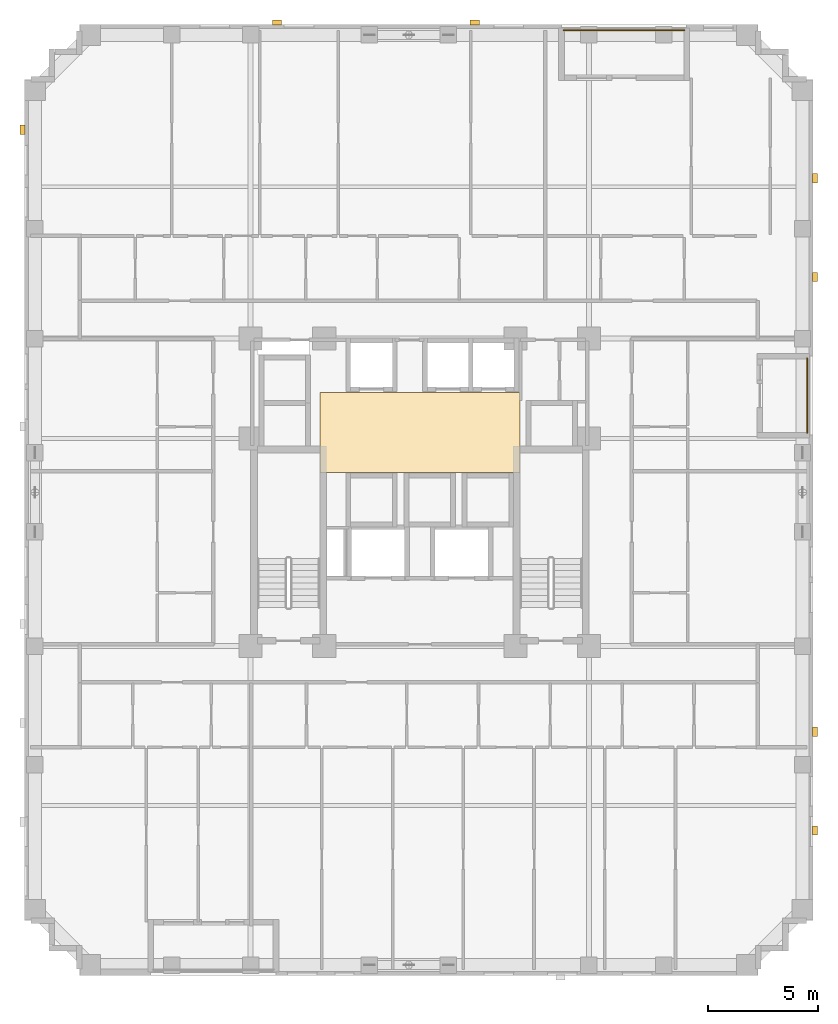
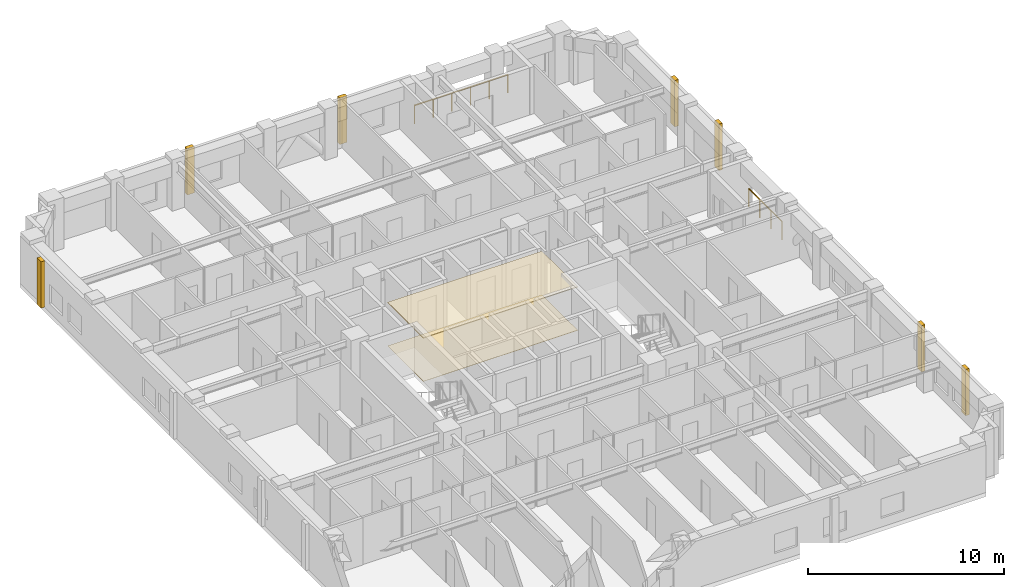
# One storey, part 12 of 12: 9 coverings, 2 railings.
"""IFC4 building model written with IfcOpenShell, lengths in metres."""

from ifc_helpers import new_model, si_unit, derived_unit, direction, frame, origin, origin_2d, place, context, subcontext, project, spatial, polyline, rectangle, circle, outline, extrude, material, layer, layer_set, type_object, element, save


model = new_model("IFC4")

# Units and contexts
model_context = context("Model", 3, precision=1e-05, world=origin(), true_north=direction((0.0, 1.0)))
body_context = subcontext(model_context, "Body", "Model", "MODEL_VIEW")
ifc_project = project(units=[si_unit("LENGTHUNIT", "METRE"), si_unit("AREAUNIT", "SQUARE_METRE"), si_unit("VOLUMEUNIT", "CUBIC_METRE"), si_unit("PLANEANGLEUNIT", "RADIAN"), si_unit("MASSUNIT", "GRAM", prefix="KILO"), derived_unit("THERMALTRANSMITTANCEUNIT", [(si_unit("MASSUNIT", "GRAM", prefix="KILO"), 1), (si_unit("TIMEUNIT", "SECOND"), -3), (si_unit("THERMODYNAMICTEMPERATUREUNIT", "KELVIN"), -1)])], contexts=[model_context])

# Site, building, storey
site_placement = place(None, origin())
site = spatial("IfcSite", under=ifc_project, at=site_placement, CompositionType="ELEMENT")
building_placement = place(site_placement, origin())
building = spatial("IfcBuilding", under=site, at=building_placement, Name="Korrvale Station Residences", CompositionType="ELEMENT")
storey_placement = place(building_placement, frame((0.0, 0.0, 113.5)))
storey = spatial("IfcBuildingStorey", under=building, at=storey_placement, Name="L32", CompositionType="ELEMENT", Elevation=113.5)

# Coverings
ifc_material_1 = material(Name="Perforated acoustic mineral-fibre suspended ceiling", Category="gypsum")
ifc_layer_1 = layer(ifc_material_1, 0.050048828125, Name="Perforated acoustic mineral-fibre suspended ceiling")
ifc_layer_set_1 = layer_set([ifc_layer_1], Name="Perforated acoustic mineral-fibre suspended ceiling")
covering_type_1 = type_object("IfcCoveringType", Name="COV-CLG-AC60", PredefinedType="CEILING", material=ifc_layer_set_1)
covering_1_placement = place(storey_placement, frame((0.0, 0.0, 2.68994140625)))
element("IfcCovering", 1, at=covering_1_placement, inside=storey, type_object=covering_type_1, Name="L32 Elevator Lobby Acoustic Ceiling", PredefinedType="CEILING", context=body_context, shape_type="SweptSolid", body=[
    extrude(outline(polyline([(20.949951171875, 22.89990234375), (30.050048828125, 22.89990234375), (30.050048828125, 26.550048828125), (20.949951171875, 26.550048828125), (20.949951171875, 22.89990234375)])), origin(), (0.0, 0.0, 1.0), 0.050048828125),
])
ifc_material_2 = material(Name="Polished quartz-terrazzo lobby flooring", Category="masonry")
ifc_layer_2 = layer(ifc_material_2, 0.02001953125, Name="Polished quartz-terrazzo lobby flooring")
ifc_layer_set_2 = layer_set([ifc_layer_2], Name="Polished quartz-terrazzo lobby flooring")
covering_type_2 = type_object("IfcCoveringType", Name="COV-FLR-TER20", PredefinedType="FLOORING", material=ifc_layer_set_2)
covering_2_placement = place(storey_placement, origin())
element("IfcCovering", 2, at=covering_2_placement, inside=storey, type_object=covering_type_2, Name="L32 Elevator Lobby Terrazzo Flooring", PredefinedType="FLOORING", context=body_context, shape_type="SweptSolid", body=[
    extrude(outline(polyline([(20.949951171875, 22.89990234375), (30.050048828125, 22.89990234375), (30.050048828125, 26.550048828125), (20.949951171875, 26.550048828125), (20.949951171875, 22.89990234375)])), origin(), (0.0, 0.0, 1.0), 0.02001953125),
])
ifc_material_3 = material(Name="Architectural precast concrete C45/55", Category="concrete")
ifc_layer_3 = layer(ifc_material_3, 0.219970703125, Name="Architectural precast concrete C45/55")
ifc_layer_set_3 = layer_set([ifc_layer_3], Name="Architectural precast concrete C45/55")
covering_type_3 = type_object("IfcCoveringType", Name="COV-PIER-400", PredefinedType="CLADDING", material=ifc_layer_set_3)
for number, where, z_axis, x_axis, name in (
    (3, (19.0, 43.389892578125, 0.02490234375), (0.0, 0.0, 1.0), (1.0, 0.0, 0.0), "L32 Architectural Precast Facade Pier 02"),
    (4, (28.0, 43.389892578125, 0.02490234375), (0.0, 0.0, 1.0), (1.0, 0.0, 0.0), "L32 Architectural Precast Facade Pier 03"),
    (5, (7.409912109375, 38.5, 0.02490234375), (0.0, 0.0, 1.0), (0.0, 1.0, 0.0), "L32 Architectural Precast Facade Pier 08"),
    (6, (43.489990234375, 36.300048828125, 0.02490234375), (0.0, 0.0, 1.0), (0.0, 1.0, 0.0), "L32 Architectural Precast Facade Pier 09"),
    (7, (43.489990234375, 31.800048828125, 0.02490234375), (0.0, 0.0, 1.0), (0.0, 1.0, 0.0), "L32 Architectural Precast Facade Pier 10"),
    (8, (43.489990234375, 11.10009765625, 0.02490234375), (0.0, 0.0, 1.0), (0.0, 1.0, 0.0), "L32 Architectural Precast Facade Pier 11"),
    (9, (43.489990234375, 6.60009765625, 0.02490234375), (0.0, 0.0, 1.0), (0.0, 1.0, 0.0), "L32 Architectural Precast Facade Pier 12"),
):
    element("IfcCovering", number, at=place(storey_placement, frame(where, z_axis=z_axis, x_axis=x_axis)), inside=storey, type_object=covering_type_3, Name=name, PredefinedType="CLADDING", context=body_context, shape_type="SweptSolid", body=[
        extrude(rectangle(XDim=0.419921875, YDim=0.219970703125, at=origin_2d()), origin(), (0.0, 0.0, 1.0), 2.889892578125),
    ])

# Railings
ifc_material_4 = material(Name="Powder-coated aluminium picket loggia guard", Category="aluminium")
railing_type = type_object("IfcRailingType", Name="RLG-BAL-1150", PredefinedType="GUARDRAIL", material=ifc_material_4)
railing_1_placement = place(storey_placement, frame((32.050048828125, 43.030029296875, 0.0)))
element("IfcRailing", 10, at=railing_1_placement, inside=storey, type_object=railing_type, Name="L32 Recessed Loggia Guardrail BAL-L32-N1", PredefinedType="GUARDRAIL", context=body_context, shape_type="SweptSolid", body=[
    extrude(circle(Radius=0.02392578125, at=origin_2d()), frame((0.0, 0.0, 1.1259765625), z_axis=(1.0, 0.0, 0.0), x_axis=(0.0, 1.0, 0.0)), (0.0, 0.0, 1.0), 5.5),
    extrude(circle(Radius=0.02099609375, at=origin_2d()), origin(), (0.0, 0.0, 1.0), 1.101806640625),
    extrude(circle(Radius=0.02099609375, at=origin_2d()), frame((1.10009765625, 0.0, 0.0)), (0.0, 0.0, 1.0), 1.101806640625),
    extrude(circle(Radius=0.02099609375, at=origin_2d()), frame((2.199951171875, 0.0, 0.0)), (0.0, 0.0, 1.0), 1.101806640625),
    extrude(circle(Radius=0.02099609375, at=origin_2d()), frame((3.300048828125, 0.0, 0.0)), (0.0, 0.0, 1.0), 1.101806640625),
    extrude(circle(Radius=0.02099609375, at=origin_2d()), frame((4.39990234375, 0.0, 0.0)), (0.0, 0.0, 1.0), 1.101806640625),
    extrude(circle(Radius=0.02099609375, at=origin_2d()), frame((5.5, 0.0, 0.0)), (0.0, 0.0, 1.0), 1.101806640625),
])
railing_2_placement = place(storey_placement, frame((43.1298828125, 24.699951171875, 0.0)))
element("IfcRailing", 11, at=railing_2_placement, inside=storey, type_object=railing_type, Name="L32 Recessed Loggia Guardrail BAL-L32-E1", PredefinedType="GUARDRAIL", context=body_context, shape_type="SweptSolid", body=[
    extrude(circle(Radius=0.02392578125, at=origin_2d()), frame((0.0, 0.0, 1.1259765625), z_axis=(0.0, 1.0, 0.0), x_axis=(-1.0, 0.0, 0.0)), (0.0, 0.0, 1.0), 3.400146484375),
    extrude(circle(Radius=0.02099609375, at=origin_2d()), origin(), (0.0, 0.0, 1.0), 1.101806640625),
    extrude(circle(Radius=0.02099609375, at=origin_2d()), frame((0.0, 1.13330078125, 0.0)), (0.0, 0.0, 1.0), 1.101806640625),
    extrude(circle(Radius=0.02099609375, at=origin_2d()), frame((0.0, 2.266845703125, 0.0)), (0.0, 0.0, 1.0), 1.101806640625),
    extrude(circle(Radius=0.02099609375, at=origin_2d()), frame((0.0, 3.400146484375, 0.0)), (0.0, 0.0, 1.0), 1.101806640625),
])

save(model, "model.ifc")
